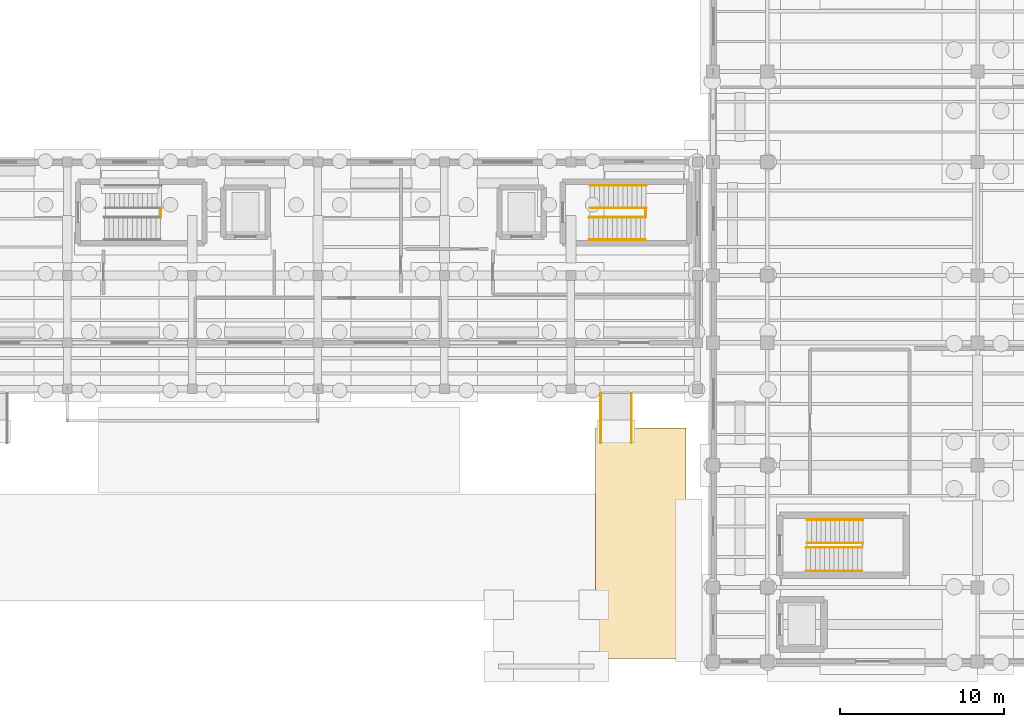
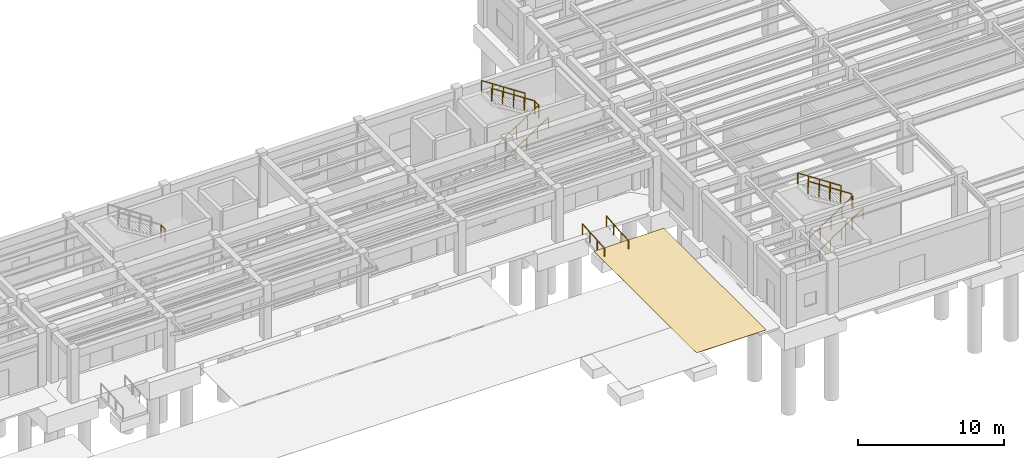
# One storey, part 39 of 41: 12 railings, 1 covering.
"""IFC4 building model written with IfcOpenShell, lengths in metres."""

from ifc_helpers import new_model, si_unit, direction, frame, origin, origin_2d, place, context, subcontext, project, spatial, rectangle, circle, extrude, material, layer, layer_set, type_object, element, save


model = new_model("IFC4")

# Units and contexts
model_context = context("Model", 3, precision=1e-05, world=origin(), true_north=direction((0.0, 1.0)))
body_context = subcontext(model_context, "Body", "Model", "MODEL_VIEW")
ifc_project = project(units=[si_unit("LENGTHUNIT", "METRE"), si_unit("AREAUNIT", "SQUARE_METRE"), si_unit("VOLUMEUNIT", "CUBIC_METRE"), si_unit("PLANEANGLEUNIT", "RADIAN"), si_unit("MASSUNIT", "GRAM", prefix="KILO")], contexts=[model_context])

# Site, building, storey
site_placement = place(None, origin())
site = spatial("IfcSite", under=ifc_project, at=site_placement, CompositionType="ELEMENT")
building_placement = place(site_placement, origin())
building = spatial("IfcBuilding", under=site, at=building_placement, Name="Candilejo Ridge Gondola Terminal", CompositionType="ELEMENT")
storey_placement = place(building_placement, origin())
storey = spatial("IfcBuildingStorey", under=building, at=storey_placement, Name="L00", CompositionType="ELEMENT", Elevation=0.0)

# Railings
ifc_material_1 = material(Name="Brushed stainless steel AISI 316", Category="steel")
railing_type_1 = type_object("IfcRailingType", Name="ARC-RAMP-HANDRAIL-920", PredefinedType="HANDRAIL", material=ifc_material_1)
for number, where, name in (
    (1, (127.06005859375, 19.60009765625, -0.239990234375), "Ramp handrail RM-05-W"),
    (2, (128.93994140625, 19.60009765625, -0.239990234375), "Ramp handrail RM-05-E"),
):
    element("IfcRailing", number, at=place(storey_placement, frame(where)), inside=storey, type_object=railing_type_1, Name=name, PredefinedType="HANDRAIL", context=body_context, shape_type="SweptSolid", body=[
        extrude(circle(Radius=0.02392578125, at=origin_2d()), frame((0.0, 0.0, 0.89599609375), z_axis=(0.0, 0.996815536467, 0.079741998075), x_axis=(-1.0, 0.0, 0.0)), (0.0, 0.0, 1.0), 3.009521484375),
        extrude(circle(Radius=0.02099609375, at=origin_2d()), origin(), (0.0, 0.0, 1.0), 0.871826171875),
        extrude(circle(Radius=0.02099609375, at=origin_2d()), frame((0.0, 1.0, 0.080078125)), (0.0, 0.0, 1.0), 0.871826171875),
        extrude(circle(Radius=0.02099609375, at=origin_2d()), frame((0.0, 2.0, 0.159912109375)), (0.0, 0.0, 1.0), 0.871826171875),
        extrude(circle(Radius=0.02099609375, at=origin_2d()), frame((0.0, 3.0, 0.239990234375)), (0.0, 0.0, 1.0), 0.871826171875),
    ])
ifc_material_2 = material(Name="Hot-dip galvanised steel ASTM A500 Grade B", Category="steel")
railing_type_2 = type_object("IfcRailingType", Name="ARC-STAIR-GUARD-1100", PredefinedType="GUARDRAIL", material=ifc_material_2)
railing_1_placement = place(storey_placement, frame((100.300048828125, 33.347412109375, 2.25)))
element("IfcRailing", 3, at=railing_1_placement, inside=storey, type_object=railing_type_2, Name="Half-landing slot guard ST-V3A-LND-01", PredefinedType="GUARDRAIL", context=body_context, shape_type="SweptSolid", body=[
    extrude(circle(Radius=0.02392578125, at=origin_2d()), frame((0.0, 0.0, 1.076171875), z_axis=(0.0, 1.0, 0.0), x_axis=(-1.0, 0.0, 0.0)), (0.0, 0.0, 1.0), 0.55517578125),
    extrude(circle(Radius=0.02099609375, at=origin_2d()), origin(), (0.0, 0.0, 1.0), 1.052001953125),
    extrude(circle(Radius=0.02099609375, at=origin_2d()), frame((0.0, 0.55517578125, 0.0)), (0.0, 0.0, 1.0), 1.052001953125),
])
railing_2_placement = place(storey_placement, frame((126.35009765625, 33.347412109375, 0.0)))
element("IfcRailing", 4, at=railing_2_placement, inside=storey, type_object=railing_type_2, Name="Flight well guard ST-V3B-F01", PredefinedType="GUARDRAIL", context=body_context, shape_type="SweptSolid", body=[
    extrude(circle(Radius=0.02392578125, at=origin_2d()), frame((0.0, 0.0, 1.076171875), z_axis=(0.835411317272, 0.0, 0.549625264133), x_axis=(0.0, 1.0, 0.0)), (0.0, 0.0, 1.0), 4.09375),
    extrude(circle(Radius=0.02099609375, at=origin_2d()), origin(), (0.0, 0.0, 1.0), 1.052001953125),
    extrude(circle(Radius=0.02099609375, at=origin_2d()), frame((0.85498046875, 0.0, 0.5625)), (0.0, 0.0, 1.0), 1.052001953125),
    extrude(circle(Radius=0.02099609375, at=origin_2d()), frame((1.7099609375, 0.0, 1.125)), (0.0, 0.0, 1.0), 1.052001953125),
    extrude(circle(Radius=0.02099609375, at=origin_2d()), frame((2.56494140625, 0.0, 1.6875)), (0.0, 0.0, 1.0), 1.052001953125),
    extrude(circle(Radius=0.02099609375, at=origin_2d()), frame((3.419921875, 0.0, 2.25)), (0.0, 0.0, 1.0), 1.052001953125),
])
railing_3_placement = place(storey_placement, frame((129.800048828125, 33.347412109375, 2.25)))
element("IfcRailing", 5, at=railing_3_placement, inside=storey, type_object=railing_type_2, Name="Half-landing slot guard ST-V3B-LND-01", PredefinedType="GUARDRAIL", context=body_context, shape_type="SweptSolid", body=[
    extrude(circle(Radius=0.02392578125, at=origin_2d()), frame((0.0, 0.0, 1.076171875), z_axis=(0.0, 1.0, 0.0), x_axis=(-1.0, 0.0, 0.0)), (0.0, 0.0, 1.0), 0.55517578125),
    extrude(circle(Radius=0.02099609375, at=origin_2d()), origin(), (0.0, 0.0, 1.0), 1.052001953125),
    extrude(circle(Radius=0.02099609375, at=origin_2d()), frame((0.0, 0.55517578125, 0.0)), (0.0, 0.0, 1.0), 1.052001953125),
])
railing_4_placement = place(storey_placement, frame((129.830078125, 33.902587890625, 2.25)))
element("IfcRailing", 6, at=railing_4_placement, inside=storey, type_object=railing_type_2, Name="Flight well guard ST-V3B-F02", PredefinedType="GUARDRAIL", context=body_context, shape_type="SweptSolid", body=[
    extrude(circle(Radius=0.02392578125, at=origin_2d()), frame((0.0, 0.0, 1.076171875), z_axis=(-0.835429331894, 0.0, 0.549597881557), x_axis=(0.0, -1.0, 0.0)), (0.0, 0.0, 1.0), 4.093994140625),
    extrude(circle(Radius=0.02099609375, at=origin_2d()), origin(), (0.0, 0.0, 1.0), 1.052001953125),
    extrude(circle(Radius=0.02099609375, at=origin_2d()), frame((-0.85498046875, 0.0, 0.5625)), (0.0, 0.0, 1.0), 1.052001953125),
    extrude(circle(Radius=0.02099609375, at=origin_2d()), frame((-1.7099609375, 0.0, 1.125)), (0.0, 0.0, 1.0), 1.052001953125),
    extrude(circle(Radius=0.02099609375, at=origin_2d()), frame((-2.565185546875, 0.0, 1.6875)), (0.0, 0.0, 1.0), 1.052001953125),
    extrude(circle(Radius=0.02099609375, at=origin_2d()), frame((-3.420166015625, 0.0, 2.25)), (0.0, 0.0, 1.0), 1.052001953125),
])
railing_5_placement = place(storey_placement, frame((139.550048828125, 13.235107421875, 0.0)))
element("IfcRailing", 7, at=railing_5_placement, inside=storey, type_object=railing_type_2, Name="Flight well guard ST-V4A-F01", PredefinedType="GUARDRAIL", context=body_context, shape_type="SweptSolid", body=[
    extrude(circle(Radius=0.02392578125, at=origin_2d()), frame((0.0, 0.0, 1.076171875), z_axis=(0.835411317272, 0.0, 0.549625264133), x_axis=(0.0, 1.0, 0.0)), (0.0, 0.0, 1.0), 4.09375),
    extrude(circle(Radius=0.02099609375, at=origin_2d()), origin(), (0.0, 0.0, 1.0), 1.052001953125),
    extrude(circle(Radius=0.02099609375, at=origin_2d()), frame((0.85498046875, 0.0, 0.5625)), (0.0, 0.0, 1.0), 1.052001953125),
    extrude(circle(Radius=0.02099609375, at=origin_2d()), frame((1.7099609375, 0.0, 1.125)), (0.0, 0.0, 1.0), 1.052001953125),
    extrude(circle(Radius=0.02099609375, at=origin_2d()), frame((2.56494140625, 0.0, 1.6875)), (0.0, 0.0, 1.0), 1.052001953125),
    extrude(circle(Radius=0.02099609375, at=origin_2d()), frame((3.419921875, 0.0, 2.25)), (0.0, 0.0, 1.0), 1.052001953125),
])
railing_6_placement = place(storey_placement, frame((143.030029296875, 13.514892578125, 2.25)))
element("IfcRailing", 8, at=railing_6_placement, inside=storey, type_object=railing_type_2, Name="Flight well guard ST-V4A-F02", PredefinedType="GUARDRAIL", context=body_context, shape_type="SweptSolid", body=[
    extrude(circle(Radius=0.02392578125, at=origin_2d()), frame((0.0, 0.0, 1.076171875), z_axis=(-0.835411317272, 0.0, 0.549625264133), x_axis=(0.0, -1.0, 0.0)), (0.0, 0.0, 1.0), 4.09375),
    extrude(circle(Radius=0.02099609375, at=origin_2d()), origin(), (0.0, 0.0, 1.0), 1.052001953125),
    extrude(circle(Radius=0.02099609375, at=origin_2d()), frame((-0.85498046875, 0.0, 0.5625)), (0.0, 0.0, 1.0), 1.052001953125),
    extrude(circle(Radius=0.02099609375, at=origin_2d()), frame((-1.7099609375, 0.0, 1.125)), (0.0, 0.0, 1.0), 1.052001953125),
    extrude(circle(Radius=0.02099609375, at=origin_2d()), frame((-2.56494140625, 0.0, 1.6875)), (0.0, 0.0, 1.0), 1.052001953125),
    extrude(circle(Radius=0.02099609375, at=origin_2d()), frame((-3.419921875, 0.0, 2.25)), (0.0, 0.0, 1.0), 1.052001953125),
])
ifc_material_3 = material(Name="Brushed stainless steel AISI 316", Category="steel")
railing_type_3 = type_object("IfcRailingType", Name="ARC-STAIR-HANDRAIL-920", PredefinedType="HANDRAIL", material=ifc_material_3)
railing_7_placement = place(storey_placement, frame((126.35009765625, 31.9775390625, 0.0)))
element("IfcRailing", 9, at=railing_7_placement, inside=storey, type_object=railing_type_3, Name="Wall handrail ST-V3B-F01", PredefinedType="HANDRAIL", context=body_context, shape_type="SweptSolid", body=[
    extrude(circle(Radius=0.02392578125, at=origin_2d()), frame((0.0, 0.0, 0.89599609375), z_axis=(0.835411317272, 0.0, 0.549625264133), x_axis=(0.0, 1.0, 0.0)), (0.0, 0.0, 1.0), 4.09375),
    extrude(circle(Radius=0.02099609375, at=origin_2d()), origin(), (0.0, 0.0, 1.0), 0.871826171875),
    extrude(circle(Radius=0.02099609375, at=origin_2d()), frame((0.85498046875, 0.0, 0.5625)), (0.0, 0.0, 1.0), 0.871826171875),
    extrude(circle(Radius=0.02099609375, at=origin_2d()), frame((1.7099609375, 0.0, 1.125)), (0.0, 0.0, 1.0), 0.871826171875),
    extrude(circle(Radius=0.02099609375, at=origin_2d()), frame((2.56494140625, 0.0, 1.6875)), (0.0, 0.0, 1.0), 0.871826171875),
    extrude(circle(Radius=0.02099609375, at=origin_2d()), frame((3.419921875, 0.0, 2.25)), (0.0, 0.0, 1.0), 0.871826171875),
])
railing_8_placement = place(storey_placement, frame((129.830078125, 35.2724609375, 2.25)))
element("IfcRailing", 10, at=railing_8_placement, inside=storey, type_object=railing_type_3, Name="Wall handrail ST-V3B-F02", PredefinedType="HANDRAIL", context=body_context, shape_type="SweptSolid", body=[
    extrude(circle(Radius=0.02392578125, at=origin_2d()), frame((0.0, 0.0, 0.89599609375), z_axis=(-0.835429331894, 0.0, 0.549597881557), x_axis=(0.0, -1.0, 0.0)), (0.0, 0.0, 1.0), 4.093994140625),
    extrude(circle(Radius=0.02099609375, at=origin_2d()), origin(), (0.0, 0.0, 1.0), 0.871826171875),
    extrude(circle(Radius=0.02099609375, at=origin_2d()), frame((-0.85498046875, 0.0, 0.5625)), (0.0, 0.0, 1.0), 0.871826171875),
    extrude(circle(Radius=0.02099609375, at=origin_2d()), frame((-1.7099609375, 0.0, 1.125)), (0.0, 0.0, 1.0), 0.871826171875),
    extrude(circle(Radius=0.02099609375, at=origin_2d()), frame((-2.565185546875, 0.0, 1.6875)), (0.0, 0.0, 1.0), 0.871826171875),
    extrude(circle(Radius=0.02099609375, at=origin_2d()), frame((-3.420166015625, 0.0, 2.25)), (0.0, 0.0, 1.0), 0.871826171875),
])
railing_9_placement = place(storey_placement, frame((139.550048828125, 11.81494140625, 0.0)))
element("IfcRailing", 11, at=railing_9_placement, inside=storey, type_object=railing_type_3, Name="Wall handrail ST-V4A-F01", PredefinedType="HANDRAIL", context=body_context, shape_type="SweptSolid", body=[
    extrude(circle(Radius=0.02392578125, at=origin_2d()), frame((0.0, 0.0, 0.89599609375), z_axis=(0.835411317272, 0.0, 0.549625264133), x_axis=(0.0, 1.0, 0.0)), (0.0, 0.0, 1.0), 4.09375),
    extrude(circle(Radius=0.02099609375, at=origin_2d()), origin(), (0.0, 0.0, 1.0), 0.871826171875),
    extrude(circle(Radius=0.02099609375, at=origin_2d()), frame((0.85498046875, 0.0, 0.5625)), (0.0, 0.0, 1.0), 0.871826171875),
    extrude(circle(Radius=0.02099609375, at=origin_2d()), frame((1.7099609375, 0.0, 1.125)), (0.0, 0.0, 1.0), 0.871826171875),
    extrude(circle(Radius=0.02099609375, at=origin_2d()), frame((2.56494140625, 0.0, 1.6875)), (0.0, 0.0, 1.0), 0.871826171875),
    extrude(circle(Radius=0.02099609375, at=origin_2d()), frame((3.419921875, 0.0, 2.25)), (0.0, 0.0, 1.0), 0.871826171875),
])
railing_10_placement = place(storey_placement, frame((143.030029296875, 14.93505859375, 2.25)))
element("IfcRailing", 12, at=railing_10_placement, inside=storey, type_object=railing_type_3, Name="Wall handrail ST-V4A-F02", PredefinedType="HANDRAIL", context=body_context, shape_type="SweptSolid", body=[
    extrude(circle(Radius=0.02392578125, at=origin_2d()), frame((0.0, 0.0, 0.89599609375), z_axis=(-0.835411317272, 0.0, 0.549625264133), x_axis=(0.0, -1.0, 0.0)), (0.0, 0.0, 1.0), 4.09375),
    extrude(circle(Radius=0.02099609375, at=origin_2d()), origin(), (0.0, 0.0, 1.0), 0.871826171875),
    extrude(circle(Radius=0.02099609375, at=origin_2d()), frame((-0.85498046875, 0.0, 0.5625)), (0.0, 0.0, 1.0), 0.871826171875),
    extrude(circle(Radius=0.02099609375, at=origin_2d()), frame((-1.7099609375, 0.0, 1.125)), (0.0, 0.0, 1.0), 0.871826171875),
    extrude(circle(Radius=0.02099609375, at=origin_2d()), frame((-2.56494140625, 0.0, 1.6875)), (0.0, 0.0, 1.0), 0.871826171875),
    extrude(circle(Radius=0.02099609375, at=origin_2d()), frame((-3.419921875, 0.0, 2.25)), (0.0, 0.0, 1.0), 0.871826171875),
])

# Covering
ifc_material_4 = material(Name="Heavy-duty polymer-modified asphalt busway wearing course", Category="asphalt")
ifc_layer = layer(ifc_material_4, 0.030029296875)
ifc_layer_set = layer_set([ifc_layer], Name="CIV-COV-BUSWAY-ASPHALT")
covering_type = type_object("IfcCoveringType", Name="CIV-COV-BUSWAY-ASPHALT", PredefinedType="USERDEFINED", material=ifc_layer_set)
covering_placement = place(storey_placement, frame((129.5, 13.5, -0.02978515625), z_axis=(0.0, 0.0, 1.0), x_axis=(1.0, 0.0, 0.0)))
element("IfcCovering", 13, at=covering_placement, inside=storey, type_object=covering_type, Name="Transit busway asphalt wearing course RD-FIRE-E", ObjectType="ROADWAY", PredefinedType="USERDEFINED", context=body_context, shape_type="SweptSolid", body=[
    extrude(rectangle(XDim=5.5, YDim=14.0, at=origin_2d()), origin(), (0.0, 0.0, 1.0), 0.030029296875),
])

save(model, "model.ifc")
